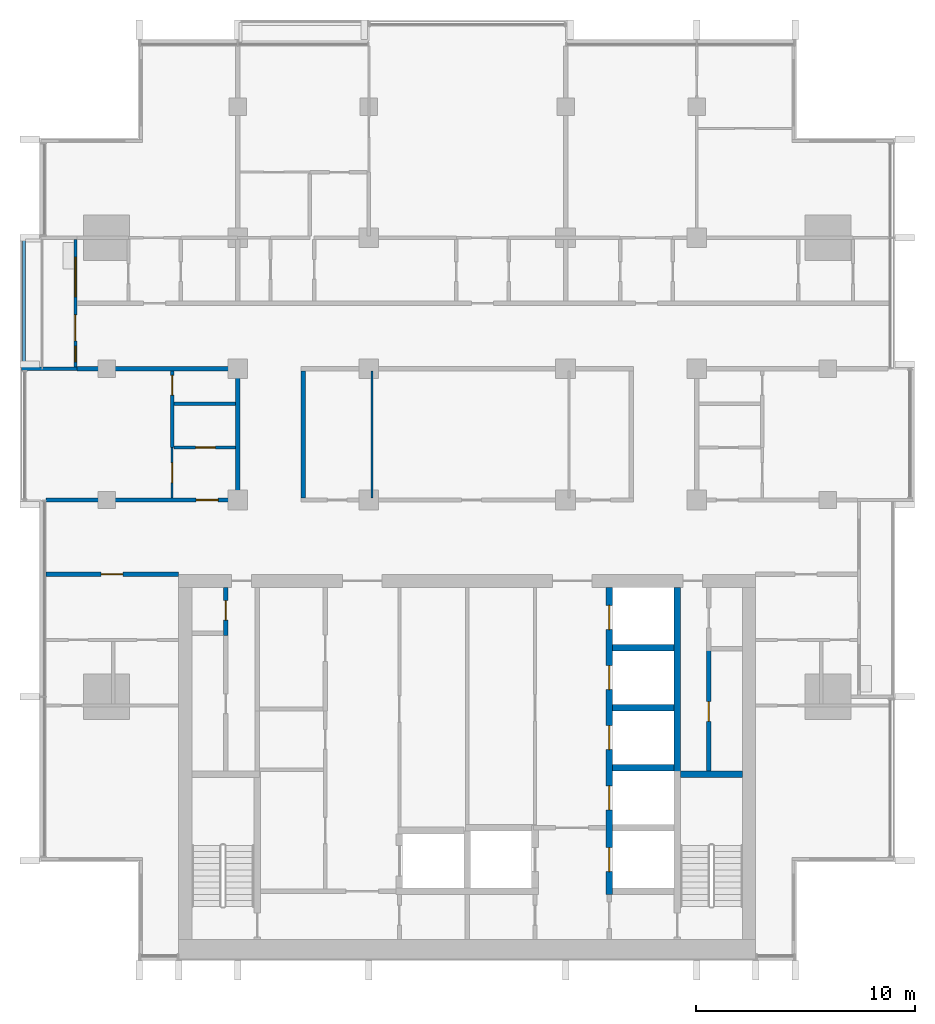
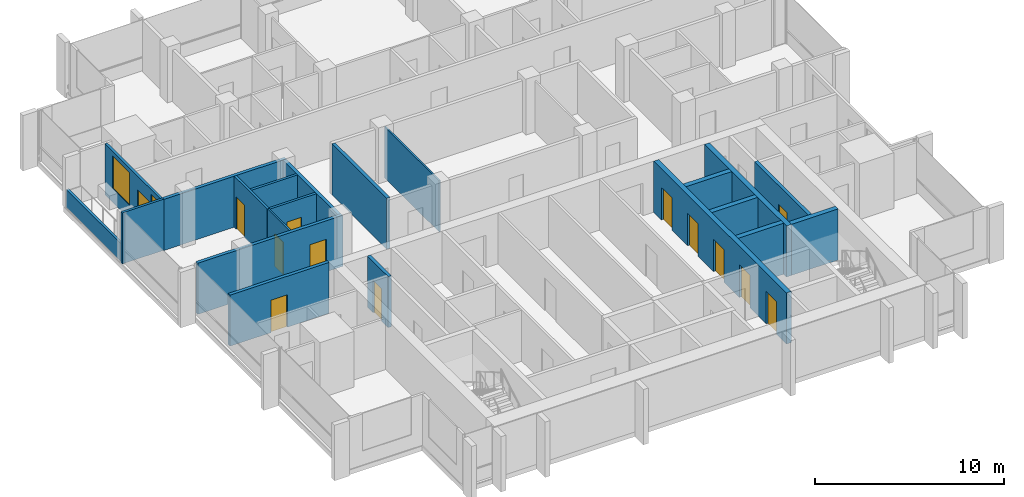
# One storey, part 8 of 16: 21 walls, 13 doors, 2 windows, 15 openings.
"""IFC4 building model written with IfcOpenShell, lengths in metres."""

from ifc_helpers import new_model, si_unit, direction, frame, frame_2d, origin, place, context, subcontext, project, spatial, rectangle, extrude, material, layer, layer_set, type_object, element, fill, save


model = new_model("IFC4")

# Units and contexts
model_context = context("Model", 3, precision=1e-05, world=origin(), true_north=direction((0.0, 1.0)))
body_context = subcontext(model_context, "Body", "Model", "MODEL_VIEW")
ifc_project = project(units=[si_unit("LENGTHUNIT", "METRE"), si_unit("AREAUNIT", "SQUARE_METRE"), si_unit("VOLUMEUNIT", "CUBIC_METRE"), si_unit("PLANEANGLEUNIT", "RADIAN"), si_unit("MASSUNIT", "GRAM", prefix="KILO")], contexts=[model_context])

# Site, building, storey
site_placement = place(None, origin())
site = spatial("IfcSite", under=ifc_project, at=site_placement, CompositionType="ELEMENT")
building_placement = place(site_placement, origin())
building = spatial("IfcBuilding", under=site, at=building_placement, Name="Finial Court Residences", CompositionType="ELEMENT")
storey_placement = place(building_placement, frame((0.0, 0.0, 223.10009765625)))
storey = spatial("IfcBuildingStorey", under=building, at=storey_placement, Name="L56", CompositionType="ELEMENT", Elevation=223.10009765625)

# Wall, opening, door
ifc_material_1 = material(Name="Gypsum board")
ifc_layer_1 = layer(ifc_material_1, 0.02490234375)
ifc_material_2 = material(Name="Acoustic mineral wool in double frame")
ifc_layer_2 = layer(ifc_material_2, 0.14990234375)
ifc_layer_3 = layer(ifc_material_1, 0.02490234375)
ifc_layer_set_1 = layer_set([ifc_layer_1, ifc_layer_2, ifc_layer_3], Name="Corridor wall 200, 1 hour")
wall_type_1 = type_object("IfcWallType", Name="Corridor wall 200, 1 hour", PredefinedType="PARTITIONING", material=ifc_layer_set_1)
wall_1_placement = place(storey_placement, frame((-19.262451171875, -7.89990234375, 0.0), z_axis=(0.0, 0.0, 1.0), x_axis=(1.0, 0.0, 0.0)))
wall_1 = element("IfcWall", 1, at=wall_1_placement, inside=storey, type_object=wall_type_1, Name="Partition L56-004", PredefinedType="PARTITIONING", context=body_context, shape_type="SweptSolid", body=[
    extrude(rectangle(XDim=6.0625, YDim=0.199951171875, at=frame_2d((3.03125, 0.0))), origin(), (0.0, 0.0, 1.0), 3.2998046875),
])
opening_1_placement = place(wall_1_placement, frame((2.511962890625, 0.0, 0.0)))
opening_1 = element("IfcOpeningElement", 2, at=opening_1_placement, cuts=wall_1, Name="Opening L56-D007", PredefinedType="OPENING", context=body_context, shape_type="SweptSolid", body=[
    extrude(rectangle(XDim=1.0, YDim=2.10009765625, at=frame_2d((0.5, 1.050048828125))), frame((0.0, 0.10986328125, 0.0), z_axis=(0.0, -1.0, 0.0), x_axis=(1.0, 0.0, 0.0)), (0.0, 0.0, 1.0), 0.219970703125),
])
ifc_material_3 = material(Name="Timber door leaf in hollow metal frame", Category="wood")
door_type_1 = type_object("IfcDoorType", Name="Fire door set 1000 x 2100, 30 minutes", OperationType="SINGLE_SWING_LEFT", PredefinedType="DOOR", material=ifc_material_3)
door_1_placement = place(opening_1_placement, origin())
door_1 = element("IfcDoor", 3, at=door_1_placement, inside=storey, type_object=door_type_1, Name="Door L56-D007", OperationType="SINGLE_SWING_RIGHT", OverallHeight=2.10009765625, OverallWidth=1.0, PredefinedType="DOOR", context=body_context, shape_type="SweptSolid", body=[
    extrude(rectangle(XDim=1.0, YDim=2.10009765625, at=frame_2d((0.5, 1.050048828125))), frame((0.0, 0.02490234375, 0.0), z_axis=(0.0, -1.0, 0.0), x_axis=(1.0, 0.0, 0.0)), (0.0, 0.0, 1.0), 0.050048828125),
])
fill(opening_1, door_1)

wall_2_placement = place(storey_placement, frame((-19.262451171875, -4.5, 0.0), z_axis=(0.0, 0.0, 1.0), x_axis=(1.0, 0.0, 0.0)))
wall_2 = element("IfcWall", 4, at=wall_2_placement, inside=storey, type_object=wall_type_1, Name="Partition L56-006", PredefinedType="PARTITIONING", context=body_context, shape_type="SweptSolid", body=[
    extrude(rectangle(XDim=8.862548828125, YDim=0.199951171875, at=frame_2d((4.43115234375, 0.0))), origin(), (0.0, 0.0, 1.0), 3.2998046875),
])
opening_2_placement = place(wall_2_placement, frame((6.862060546875, 0.0, 0.0)))
opening_2 = element("IfcOpeningElement", 5, at=opening_2_placement, cuts=wall_2, Name="Opening L56-D009", PredefinedType="OPENING", context=body_context, shape_type="SweptSolid", body=[
    extrude(rectangle(XDim=1.0, YDim=2.10009765625, at=frame_2d((0.5, 1.050048828125))), frame((0.0, 0.10986328125, 0.0), z_axis=(0.0, -1.0, 0.0), x_axis=(1.0, 0.0, 0.0)), (0.0, 0.0, 1.0), 0.219970703125),
])
door_2_placement = place(opening_2_placement, origin())
door_2 = element("IfcDoor", 6, at=door_2_placement, inside=storey, type_object=door_type_1, Name="Door L56-D009", OperationType="SINGLE_SWING_LEFT", OverallHeight=2.10009765625, OverallWidth=1.0, PredefinedType="DOOR", context=body_context, shape_type="SweptSolid", body=[
    extrude(rectangle(XDim=1.0, YDim=2.10009765625, at=frame_2d((0.5, 1.050048828125))), frame((0.0, 0.02490234375, 0.0), z_axis=(0.0, -1.0, 0.0), x_axis=(1.0, 0.0, 0.0)), (0.0, 0.0, 1.0), 0.050048828125),
])
fill(opening_2, door_2)

# Walls
wall_3_placement = place(storey_placement, frame((-17.85009765625, 1.5, 0.0), z_axis=(0.0, 0.0, 1.0), x_axis=(1.0, 0.0, 0.0)))
element("IfcWall", 7, at=wall_3_placement, inside=storey, type_object=wall_type_1, Name="Partition L56-013", PredefinedType="PARTITIONING", context=body_context, shape_type="SweptSolid", body=[
    extrude(rectangle(XDim=7.4501953125, YDim=0.199951171875, at=frame_2d((3.72509765625, 0.0))), origin(), (0.0, 0.0, 1.0), 3.2998046875),
])
for number, where, z_axis, x_axis, name in (
    (8, (-10.5, -4.39990234375, 0.0), (0.0, 0.0, 1.0), (0.0, 1.0, 0.0), "Partition L56-036"),
    (9, (-7.5, -4.39990234375, 0.0), (0.0, 0.0, 1.0), (0.0, 1.0, 0.0), "Partition L56-040"),
):
    element("IfcWall", number, at=place(storey_placement, frame(where, z_axis=z_axis, x_axis=x_axis)), inside=storey, type_object=wall_type_1, Name=name, PredefinedType="PARTITIONING", context=body_context, shape_type="SweptSolid", body=[
        extrude(rectangle(XDim=5.7998046875, YDim=0.199951171875, at=frame_2d((2.89990234375, 0.0))), origin(), (0.0, 0.0, 1.0), 3.2998046875),
    ])

# Wall, opening, door
ifc_layer_4 = layer(ifc_material_1, 0.012451171875)
ifc_material_4 = material(Name="Mineral wool in light-gauge frame")
ifc_layer_5 = layer(ifc_material_4, 0.074951171875)
ifc_layer_6 = layer(ifc_material_1, 0.012451171875)
ifc_layer_set_2 = layer_set([ifc_layer_4, ifc_layer_5, ifc_layer_6], Name="Gypsum board partition 100")
wall_type_2 = type_object("IfcWallType", Name="Gypsum board partition 100", PredefinedType="PARTITIONING", material=ifc_layer_set_2)
wall_4_placement = place(storey_placement, frame((-13.5, -4.39990234375, 0.0), z_axis=(0.0, 0.0, 1.0), x_axis=(0.0, 1.0, 0.0)))
wall_4 = element("IfcWall", 10, at=wall_4_placement, inside=storey, type_object=wall_type_2, Name="Partition L56-033", PredefinedType="PARTITIONING", context=body_context, shape_type="SweptSolid", body=[
    extrude(rectangle(XDim=2.2998046875, YDim=0.10009765625, at=frame_2d((1.14990234375, 0.0))), origin(), (0.0, 0.0, 1.0), 3.2998046875),
])
opening_3_placement = place(wall_4_placement, frame((0.699951171875, 0.0, 0.0)))
opening_3 = element("IfcOpeningElement", 11, at=opening_3_placement, cuts=wall_4, Name="Opening L56-D026", PredefinedType="OPENING", context=body_context, shape_type="SweptSolid", body=[
    extrude(rectangle(XDim=0.89990234375, YDim=2.10009765625, at=frame_2d((0.449951171875, 1.050048828125))), frame((0.0, 0.06005859375, 0.0), z_axis=(0.0, -1.0, 0.0), x_axis=(1.0, 0.0, 0.0)), (0.0, 0.0, 1.0), 0.1201171875),
])
ifc_material_5 = material(Name="Timber door leaf in timber frame", Category="wood")
door_type_2 = type_object("IfcDoorType", Name="Door set 900 x 2100", OperationType="SINGLE_SWING_LEFT", PredefinedType="DOOR", material=ifc_material_5)
door_3_placement = place(opening_3_placement, origin())
door_3 = element("IfcDoor", 12, at=door_3_placement, inside=storey, type_object=door_type_2, Name="Door L56-D026", OperationType="SINGLE_SWING_RIGHT", OverallHeight=2.10009765625, OverallWidth=0.89990234375, PredefinedType="DOOR", context=body_context, shape_type="SweptSolid", body=[
    extrude(rectangle(XDim=0.89990234375, YDim=2.10009765625, at=frame_2d((0.449951171875, 1.050048828125))), frame((0.0, 0.02490234375, 0.0), z_axis=(0.0, -1.0, 0.0), x_axis=(1.0, 0.0, 0.0)), (0.0, 0.0, 1.0), 0.050048828125),
])
fill(opening_3, door_3)

# Wall
wall_5_placement = place(storey_placement, frame((-4.35009765625, -4.39990234375, 0.0), z_axis=(0.0, 0.0, 1.0), x_axis=(0.0, 1.0, 0.0)))
element("IfcWall", 13, at=wall_5_placement, inside=storey, type_object=wall_type_2, Name="Partition L56-045", PredefinedType="PARTITIONING", context=body_context, shape_type="SweptSolid", body=[
    extrude(rectangle(XDim=5.7998046875, YDim=0.10009765625, at=frame_2d((2.89990234375, 0.0))), origin(), (0.0, 0.0, 1.0), 3.2998046875),
])

# Wall, opening, door
ifc_material_6 = material(Name="Moisture-resistant gypsum board")
ifc_layer_7 = layer(ifc_material_6, 0.012451171875)
ifc_layer_8 = layer(ifc_material_4, 0.125)
ifc_layer_9 = layer(ifc_material_6, 0.012451171875)
ifc_layer_set_3 = layer_set([ifc_layer_7, ifc_layer_8, ifc_layer_9], Name="Gypsum board wet-area partition 150")
wall_type_3 = type_object("IfcWallType", Name="Gypsum board wet-area partition 150", PredefinedType="PARTITIONING", material=ifc_layer_set_3)
wall_6_placement = place(storey_placement, frame((-13.425048828125, -2.10009765625, 0.0), z_axis=(0.0, 0.0, 1.0), x_axis=(1.0, 0.0, 0.0)))
wall_6 = element("IfcWall", 14, at=wall_6_placement, inside=storey, type_object=wall_type_3, Name="Partition L56-009", PredefinedType="PARTITIONING", context=body_context, shape_type="SweptSolid", body=[
    extrude(rectangle(XDim=2.824951171875, YDim=0.14990234375, at=frame_2d((1.41259765625, 0.0))), origin(), (0.0, 0.0, 1.0), 3.2998046875),
])
opening_4_placement = place(wall_6_placement, frame((1.0, 0.0, 0.0)))
opening_4 = element("IfcOpeningElement", 15, at=opening_4_placement, cuts=wall_6, Name="Opening L56-D014", PredefinedType="OPENING", context=body_context, shape_type="SweptSolid", body=[
    extrude(rectangle(XDim=0.89990234375, YDim=2.10009765625, at=frame_2d((0.449951171875, 1.050048828125))), frame((0.0, 0.0849609375, 0.0), z_axis=(0.0, -1.0, 0.0), x_axis=(1.0, 0.0, 0.0)), (0.0, 0.0, 1.0), 0.169921875),
])
door_4_placement = place(opening_4_placement, origin())
door_4 = element("IfcDoor", 16, at=door_4_placement, inside=storey, type_object=door_type_2, Name="Door L56-D014", OperationType="SINGLE_SWING_LEFT", OverallHeight=2.10009765625, OverallWidth=0.89990234375, PredefinedType="DOOR", context=body_context, shape_type="SweptSolid", body=[
    extrude(rectangle(XDim=0.89990234375, YDim=2.10009765625, at=frame_2d((0.449951171875, 1.050048828125))), frame((0.0, 0.02490234375, 0.0), z_axis=(0.0, -1.0, 0.0), x_axis=(1.0, 0.0, 0.0)), (0.0, 0.0, 1.0), 0.050048828125),
])
fill(opening_4, door_4)

# Wall
wall_7_placement = place(storey_placement, frame((-13.425048828125, -0.10009765625, 0.0), z_axis=(0.0, 0.0, 1.0), x_axis=(1.0, 0.0, 0.0)))
element("IfcWall", 17, at=wall_7_placement, inside=storey, type_object=wall_type_3, Name="Partition L56-011", PredefinedType="PARTITIONING", context=body_context, shape_type="SweptSolid", body=[
    extrude(rectangle(XDim=2.824951171875, YDim=0.14990234375, at=frame_2d((1.41259765625, 0.0))), origin(), (0.0, 0.0, 1.0), 3.2998046875),
])

# Wall, opening, door
wall_8_placement = place(storey_placement, frame((-13.5, -2.10009765625, 0.0), z_axis=(0.0, 0.0, 1.0), x_axis=(0.0, 1.0, 0.0)))
wall_8 = element("IfcWall", 18, at=wall_8_placement, inside=storey, type_object=wall_type_3, Name="Partition L56-034", PredefinedType="PARTITIONING", context=body_context, shape_type="SweptSolid", body=[
    extrude(rectangle(XDim=3.5, YDim=0.14990234375, at=frame_2d((1.75, 0.0))), origin(), (0.0, 0.0, 1.0), 3.2998046875),
])
opening_5_placement = place(wall_8_placement, frame((2.39990234375, 0.0, 0.0)))
opening_5 = element("IfcOpeningElement", 19, at=opening_5_placement, cuts=wall_8, Name="Opening L56-D027", PredefinedType="OPENING", context=body_context, shape_type="SweptSolid", body=[
    extrude(rectangle(XDim=0.89990234375, YDim=2.10009765625, at=frame_2d((0.449951171875, 1.050048828125))), frame((0.0, 0.0849609375, 0.0), z_axis=(0.0, -1.0, 0.0), x_axis=(1.0, 0.0, 0.0)), (0.0, 0.0, 1.0), 0.169921875),
])
door_5_placement = place(opening_5_placement, origin())
door_5 = element("IfcDoor", 20, at=door_5_placement, inside=storey, type_object=door_type_2, Name="Door L56-D027", OperationType="SINGLE_SWING_RIGHT", OverallHeight=2.10009765625, OverallWidth=0.89990234375, PredefinedType="DOOR", context=body_context, shape_type="SweptSolid", body=[
    extrude(rectangle(XDim=0.89990234375, YDim=2.10009765625, at=frame_2d((0.449951171875, 1.050048828125))), frame((0.0, 0.02490234375, 0.0), z_axis=(0.0, -1.0, 0.0), x_axis=(1.0, 0.0, 0.0)), (0.0, 0.0, 1.0), 0.050048828125),
])
fill(opening_5, door_5)

# Walls
ifc_material_7 = material(Name="Concrete C35/45", Category="concrete")
ifc_layer_10 = layer(ifc_material_7, 0.14990234375)
ifc_layer_set_4 = layer_set([ifc_layer_10], Name="Ledge parapet, Concrete C35/45 150")
wall_type_4 = type_object("IfcWallType", Name="Ledge parapet, Concrete C35/45 150", PredefinedType="PARAPET", material=ifc_layer_set_4)
wall_9_placement = place(storey_placement, frame((-20.27490234375, 1.510009765625, 0.0), z_axis=(0.0, 0.0, 1.0), x_axis=(0.0, 1.0, 0.0)))
element("IfcWall", 21, at=wall_9_placement, inside=storey, type_object=wall_type_4, Name="E-L56-LED1-P1", PredefinedType="PARAPET", context=body_context, shape_type="SweptSolid", body=[
    extrude(rectangle(XDim=5.93994140625, YDim=0.14990234375, at=frame_2d((2.969970703125, 0.0))), origin(), (0.0, 0.0, 1.0), 1.14990234375),
])
ifc_material_8 = material(Name="Concrete C60/75", Category="concrete")
ifc_layer_11 = layer(ifc_material_8, 0.300048828125)
ifc_layer_set_5 = layer_set([ifc_layer_11], Name="Lift shaft and stair wall 300 Concrete C60/75")
wall_type_5 = type_object("IfcWallType", Name="Lift shaft and stair wall 300 Concrete C60/75", PredefinedType="SHEAR", material=ifc_layer_set_5)
wall_10_placement = place(storey_placement, frame((9.75, -17.050048828125, 0.0), z_axis=(0.0, 0.0, 1.0), x_axis=(1.0, 0.0, 0.0)))
element("IfcWall", 22, at=wall_10_placement, inside=storey, type_object=wall_type_5, Name="Core wall L56-09", PredefinedType="SHEAR", context=body_context, shape_type="SweptSolid", body=[
    extrude(rectangle(XDim=2.85009765625, YDim=0.300048828125, at=frame_2d((1.425048828125, 0.0))), origin(), (0.0, 0.0, 1.0), 3.2998046875),
])
for number, where, z_axis, x_axis, name in (
    (23, (6.64990234375, -16.75, 0.0), (0.0, 0.0, 1.0), (1.0, 0.0, 0.0), "Core wall L56-11"),
    (24, (6.64990234375, -14.0, 0.0), (0.0, 0.0, 1.0), (1.0, 0.0, 0.0), "Core wall L56-13"),
    (25, (6.64990234375, -11.25, 0.0), (0.0, 0.0, 1.0), (1.0, 0.0, 0.0), "Core wall L56-15"),
):
    element("IfcWall", number, at=place(storey_placement, frame(where, z_axis=z_axis, x_axis=x_axis)), inside=storey, type_object=wall_type_5, Name=name, PredefinedType="SHEAR", context=body_context, shape_type="SweptSolid", body=[
        extrude(rectangle(XDim=2.800048828125, YDim=0.300048828125, at=frame_2d((1.39990234375, 0.0))), origin(), (0.0, 0.0, 1.0), 3.2998046875),
    ])

# Wall, openings, doors
wall_11_placement = place(storey_placement, frame((6.5, -22.550048828125, 0.0), z_axis=(0.0, 0.0, 1.0), x_axis=(0.0, 1.0, 0.0)))
wall_11 = element("IfcWall", 26, at=wall_11_placement, inside=storey, type_object=wall_type_5, Name="Core wall L56-34", PredefinedType="SHEAR", context=body_context, shape_type="SweptSolid", body=[
    extrude(rectangle(XDim=14.050048828125, YDim=0.300048828125, at=frame_2d((7.02490234375, 0.0))), origin(), (0.0, 0.0, 1.0), 3.2998046875),
])
opening_6_placement = place(wall_11_placement, frame((1.050048828125, 0.0, 0.0)))
opening_6 = element("IfcOpeningElement", 27, at=opening_6_placement, cuts=wall_11, Name="Opening L56-LD02", PredefinedType="OPENING", context=body_context, shape_type="SweptSolid", body=[
    extrude(rectangle(XDim=1.10009765625, YDim=2.10009765625, at=frame_2d((0.550048828125, 1.050048828125))), frame((0.0, 0.159912109375, 0.0), z_axis=(0.0, -1.0, 0.0), x_axis=(1.0, 0.0, 0.0)), (0.0, 0.0, 1.0), 0.320068359375),
])
opening_7_placement = place(wall_11_placement, frame((3.875, 0.0, 0.0)))
opening_7 = element("IfcOpeningElement", 28, at=opening_7_placement, cuts=wall_11, Name="Opening L56-LD03", PredefinedType="OPENING", context=body_context, shape_type="SweptSolid", body=[
    extrude(rectangle(XDim=1.10009765625, YDim=2.10009765625, at=frame_2d((0.550048828125, 1.050048828125))), frame((0.0, 0.159912109375, 0.0), z_axis=(0.0, -1.0, 0.0), x_axis=(1.0, 0.0, 0.0)), (0.0, 0.0, 1.0), 0.320068359375),
])
opening_8_placement = place(wall_11_placement, frame((6.625, 0.0, 0.0)))
opening_8 = element("IfcOpeningElement", 29, at=opening_8_placement, cuts=wall_11, Name="Opening L56-LD04", PredefinedType="OPENING", context=body_context, shape_type="SweptSolid", body=[
    extrude(rectangle(XDim=1.10009765625, YDim=2.10009765625, at=frame_2d((0.550048828125, 1.050048828125))), frame((0.0, 0.159912109375, 0.0), z_axis=(0.0, -1.0, 0.0), x_axis=(1.0, 0.0, 0.0)), (0.0, 0.0, 1.0), 0.320068359375),
])
opening_9_placement = place(wall_11_placement, frame((9.375, 0.0, 0.0)))
opening_9 = element("IfcOpeningElement", 30, at=opening_9_placement, cuts=wall_11, Name="Opening L56-LD05", PredefinedType="OPENING", context=body_context, shape_type="SweptSolid", body=[
    extrude(rectangle(XDim=1.10009765625, YDim=2.10009765625, at=frame_2d((0.550048828125, 1.050048828125))), frame((0.0, 0.159912109375, 0.0), z_axis=(0.0, -1.0, 0.0), x_axis=(1.0, 0.0, 0.0)), (0.0, 0.0, 1.0), 0.320068359375),
])
opening_10_placement = place(wall_11_placement, frame((12.125, 0.0, 0.0)))
opening_10 = element("IfcOpeningElement", 31, at=opening_10_placement, cuts=wall_11, Name="Opening L56-LD06", PredefinedType="OPENING", context=body_context, shape_type="SweptSolid", body=[
    extrude(rectangle(XDim=1.10009765625, YDim=2.10009765625, at=frame_2d((0.550048828125, 1.050048828125))), frame((0.0, 0.159912109375, 0.0), z_axis=(0.0, -1.0, 0.0), x_axis=(1.0, 0.0, 0.0)), (0.0, 0.0, 1.0), 0.320068359375),
])
ifc_material_9 = material(Name="Stainless steel lift door", Category="steel")
door_type_3 = type_object("IfcDoorType", Name="Lift landing door 1100 x 2100 EI 90", OperationType="DOUBLE_DOOR_SLIDING", PredefinedType="DOOR", material=ifc_material_9)
door_6_placement = place(opening_6_placement, origin())
door_6 = element("IfcDoor", 32, at=door_6_placement, inside=storey, type_object=door_type_3, Name="Lift landing door FF2 L56", OperationType="DOUBLE_DOOR_SLIDING", OverallHeight=2.10009765625, OverallWidth=1.10009765625, PredefinedType="DOOR", context=body_context, shape_type="SweptSolid", body=[
    extrude(rectangle(XDim=1.10009765625, YDim=2.10009765625, at=frame_2d((0.550048828125, 1.050048828125))), frame((0.0, 0.02490234375, 0.0), z_axis=(0.0, -1.0, 0.0), x_axis=(1.0, 0.0, 0.0)), (0.0, 0.0, 1.0), 0.050048828125),
])
fill(opening_6, door_6)
door_7_placement = place(opening_7_placement, origin())
door_7 = element("IfcDoor", 33, at=door_7_placement, inside=storey, type_object=door_type_3, Name="Lift landing door HR5 L56", OperationType="DOUBLE_DOOR_SLIDING", OverallHeight=2.10009765625, OverallWidth=1.10009765625, PredefinedType="DOOR", context=body_context, shape_type="SweptSolid", body=[
    extrude(rectangle(XDim=1.10009765625, YDim=2.10009765625, at=frame_2d((0.550048828125, 1.050048828125))), frame((0.0, 0.02490234375, 0.0), z_axis=(0.0, -1.0, 0.0), x_axis=(1.0, 0.0, 0.0)), (0.0, 0.0, 1.0), 0.050048828125),
])
fill(opening_7, door_7)
door_8_placement = place(opening_8_placement, origin())
door_8 = element("IfcDoor", 34, at=door_8_placement, inside=storey, type_object=door_type_3, Name="Lift landing door HR6 L56", OperationType="DOUBLE_DOOR_SLIDING", OverallHeight=2.10009765625, OverallWidth=1.10009765625, PredefinedType="DOOR", context=body_context, shape_type="SweptSolid", body=[
    extrude(rectangle(XDim=1.10009765625, YDim=2.10009765625, at=frame_2d((0.550048828125, 1.050048828125))), frame((0.0, 0.02490234375, 0.0), z_axis=(0.0, -1.0, 0.0), x_axis=(1.0, 0.0, 0.0)), (0.0, 0.0, 1.0), 0.050048828125),
])
fill(opening_8, door_8)
door_9_placement = place(opening_9_placement, origin())
door_9 = element("IfcDoor", 35, at=door_9_placement, inside=storey, type_object=door_type_3, Name="Lift landing door HR7 L56", OperationType="DOUBLE_DOOR_SLIDING", OverallHeight=2.10009765625, OverallWidth=1.10009765625, PredefinedType="DOOR", context=body_context, shape_type="SweptSolid", body=[
    extrude(rectangle(XDim=1.10009765625, YDim=2.10009765625, at=frame_2d((0.550048828125, 1.050048828125))), frame((0.0, 0.02490234375, 0.0), z_axis=(0.0, -1.0, 0.0), x_axis=(1.0, 0.0, 0.0)), (0.0, 0.0, 1.0), 0.050048828125),
])
fill(opening_9, door_9)
door_10_placement = place(opening_10_placement, origin())
door_10 = element("IfcDoor", 36, at=door_10_placement, inside=storey, type_object=door_type_3, Name="Lift landing door HR8 L56", OperationType="DOUBLE_DOOR_SLIDING", OverallHeight=2.10009765625, OverallWidth=1.10009765625, PredefinedType="DOOR", context=body_context, shape_type="SweptSolid", body=[
    extrude(rectangle(XDim=1.10009765625, YDim=2.10009765625, at=frame_2d((0.550048828125, 1.050048828125))), frame((0.0, 0.02490234375, 0.0), z_axis=(0.0, -1.0, 0.0), x_axis=(1.0, 0.0, 0.0)), (0.0, 0.0, 1.0), 0.050048828125),
])
fill(opening_10, door_10)

# Walls
wall_12_placement = place(storey_placement, frame((9.60009765625, -17.199951171875, 0.0), z_axis=(0.0, 0.0, 1.0), x_axis=(0.0, 1.0, 0.0)))
element("IfcWall", 37, at=wall_12_placement, inside=storey, type_object=wall_type_5, Name="Core wall L56-36", PredefinedType="SHEAR", context=body_context, shape_type="SweptSolid", body=[
    extrude(rectangle(XDim=8.699951171875, YDim=0.300048828125, at=frame_2d((4.35009765625, 0.0))), origin(), (0.0, 0.0, 1.0), 3.2998046875),
])
ifc_material_10 = material(Name="Natural limestone", Category="masonry")
ifc_layer_12 = layer(ifc_material_10, 0.14990234375)
ifc_layer_set_6 = layer_set([ifc_layer_12], Name="Limestone clad wall 150")
wall_type_6 = type_object("IfcWallType", Name="Limestone clad wall 150", PredefinedType="SOLIDWALL", material=ifc_layer_set_6)
wall_13_placement = place(storey_placement, frame((-17.85009765625, 1.5, 0.0), z_axis=(0.0, 0.0, 1.0), x_axis=(-1.0, 0.0, 0.0)))
element("IfcWall", 38, at=wall_13_placement, inside=storey, type_object=wall_type_6, Name="E-L56-BALW4-P1", PredefinedType="SOLIDWALL", context=body_context, shape_type="SweptSolid", body=[
    extrude(rectangle(XDim=2.5498046875, YDim=0.14990234375, at=frame_2d((1.27490234375, 0.0))), origin(), (0.0, 0.0, 1.0), 3.2998046875),
])

# Wall, openings, door, windows
wall_14_placement = place(storey_placement, frame((-17.925048828125, 1.574951171875, 0.0), z_axis=(0.0, 0.0, 1.0), x_axis=(0.0, 1.0, 0.0)))
wall_14 = element("IfcWall", 39, at=wall_14_placement, inside=storey, type_object=wall_type_6, Name="E-L56-L56-BALW4-W", PredefinedType="SOLIDWALL", context=body_context, shape_type="SweptSolid", body=[
    extrude(rectangle(XDim=5.85009765625, YDim=0.14990234375, at=frame_2d((2.925048828125, 0.0))), origin(), (0.0, 0.0, 1.0), 3.2998046875),
])
opening_11_placement = place(wall_14_placement, frame((1.199951171875, 0.0, 0.0)))
opening_11 = element("IfcOpeningElement", 40, at=opening_11_placement, cuts=wall_14, Name="Opening DE56-02", PredefinedType="OPENING", context=body_context, shape_type="SweptSolid", body=[
    extrude(rectangle(XDim=1.199951171875, YDim=2.39990234375, at=frame_2d((0.60009765625, 1.199951171875))), frame((0.0, 0.0849609375, 0.0), z_axis=(0.0, -1.0, 0.0), x_axis=(1.0, 0.0, 0.0)), (0.0, 0.0, 1.0), 0.169921875),
])
opening_12_placement = place(wall_14_placement, frame((0.25, 0.0, 0.89990234375)))
opening_12 = element("IfcOpeningElement", 41, at=opening_12_placement, cuts=wall_14, Name="Opening WE56-11", PredefinedType="OPENING", context=body_context, shape_type="SweptSolid", body=[
    extrude(rectangle(XDim=0.699951171875, YDim=2.10009765625, at=frame_2d((0.35009765625, 1.050048828125))), frame((0.0, 0.0849609375, 0.0), z_axis=(0.0, -1.0, 0.0), x_axis=(1.0, 0.0, 0.0)), (0.0, 0.0, 1.0), 0.169921875),
])
opening_13_placement = place(wall_14_placement, frame((3.22509765625, 0.0, 0.89990234375)))
opening_13 = element("IfcOpeningElement", 42, at=opening_13_placement, cuts=wall_14, Name="Opening WE56-12", PredefinedType="OPENING", context=body_context, shape_type="SweptSolid", body=[
    extrude(rectangle(XDim=1.800048828125, YDim=2.10009765625, at=frame_2d((0.89990234375, 1.050048828125))), frame((0.0, 0.0849609375, 0.0), z_axis=(0.0, -1.0, 0.0), x_axis=(1.0, 0.0, 0.0)), (0.0, 0.0, 1.0), 0.169921875),
])
ifc_material_11 = material(Name="Bronze anodised aluminium", Category="aluminium")
door_type_4 = type_object("IfcDoorType", Name="Balcony door 1200 x 2400", OperationType="SINGLE_SWING_LEFT", PredefinedType="DOOR", material=ifc_material_11)
door_11_placement = place(opening_11_placement, origin())
door_11 = element("IfcDoor", 43, at=door_11_placement, inside=storey, type_object=door_type_4, Name="E-L56-L56-BALW4-W-D", OperationType="SINGLE_SWING_RIGHT", OverallHeight=2.39990234375, OverallWidth=1.199951171875, PredefinedType="DOOR", context=body_context, shape_type="SweptSolid", body=[
    extrude(rectangle(XDim=1.199951171875, YDim=2.39990234375, at=frame_2d((0.60009765625, 1.199951171875))), frame((0.0, 0.02490234375, 0.0), z_axis=(0.0, -1.0, 0.0), x_axis=(1.0, 0.0, 0.0)), (0.0, 0.0, 1.0), 0.050048828125),
])
fill(opening_11, door_11)
ifc_material_12 = material(Name="Clear low-e glass", Category="glass")
window_type_1 = type_object("IfcWindowType", Name="Balcony window 1800 x 2100", PartitioningType="SINGLE_PANEL", PredefinedType="WINDOW", material=ifc_material_12)
window_1_placement = place(opening_13_placement, origin())
window_1 = element("IfcWindow", 44, at=window_1_placement, inside=storey, type_object=window_type_1, Name="E-L56-L56-BALW4-W-W2", OverallHeight=2.10009765625, OverallWidth=1.800048828125, PartitioningType="SINGLE_PANEL", PredefinedType="WINDOW", context=body_context, shape_type="SweptSolid", body=[
    extrude(rectangle(XDim=1.800048828125, YDim=2.10009765625, at=frame_2d((0.89990234375, 1.050048828125))), frame((0.0, 0.030029296875, 0.0), z_axis=(0.0, -1.0, 0.0), x_axis=(1.0, 0.0, 0.0)), (0.0, 0.0, 1.0), 0.06005859375),
])
fill(opening_13, window_1)
window_type_2 = type_object("IfcWindowType", Name="Balcony window 700 x 2100", PartitioningType="SINGLE_PANEL", PredefinedType="WINDOW", material=ifc_material_12)
window_2_placement = place(opening_12_placement, origin())
window_2 = element("IfcWindow", 45, at=window_2_placement, inside=storey, type_object=window_type_2, Name="E-L56-L56-BALW4-W-W1", OverallHeight=2.10009765625, OverallWidth=0.699951171875, PartitioningType="SINGLE_PANEL", PredefinedType="WINDOW", context=body_context, shape_type="SweptSolid", body=[
    extrude(rectangle(XDim=0.699951171875, YDim=2.10009765625, at=frame_2d((0.35009765625, 1.050048828125))), frame((0.0, 0.030029296875, 0.0), z_axis=(0.0, -1.0, 0.0), x_axis=(1.0, 0.0, 0.0)), (0.0, 0.0, 1.0), 0.06005859375),
])
fill(opening_12, window_2)

# Wall, opening, door
ifc_material_13 = material(Name="Fire-rated gypsum board partition")
ifc_layer_13 = layer(ifc_material_13, 0.199951171875)
ifc_layer_set_7 = layer_set([ifc_layer_13], Name="Riser room wall 200 EI 120")
wall_type_7 = type_object("IfcWallType", Name="Riser room wall 200 EI 120", PredefinedType="PARTITIONING", material=ifc_layer_set_7)
wall_15_placement = place(storey_placement, frame((-11.050048828125, -10.699951171875, 0.0), z_axis=(0.0, 0.0, 1.0), x_axis=(0.0, 1.0, 0.0)))
wall_15 = element("IfcWall", 46, at=wall_15_placement, inside=storey, type_object=wall_type_7, Name="Core partition L56-18", PredefinedType="PARTITIONING", context=body_context, shape_type="SweptSolid", body=[
    extrude(rectangle(XDim=2.199951171875, YDim=0.199951171875, at=frame_2d((1.10009765625, 0.0))), origin(), (0.0, 0.0, 1.0), 3.2998046875),
])
opening_14_placement = place(wall_15_placement, frame((0.699951171875, 0.0, 0.0)))
opening_14 = element("IfcOpeningElement", 47, at=opening_14_placement, cuts=wall_15, Name="Opening L56-C07", PredefinedType="OPENING", context=body_context, shape_type="SweptSolid", body=[
    extrude(rectangle(XDim=0.89990234375, YDim=2.10009765625, at=frame_2d((0.449951171875, 1.050048828125))), frame((0.0, 0.10986328125, 0.0), z_axis=(0.0, -1.0, 0.0), x_axis=(1.0, 0.0, 0.0)), (0.0, 0.0, 1.0), 0.219970703125),
])
ifc_material_14 = material(Name="Steel fire door", Category="steel")
door_type_5 = type_object("IfcDoorType", Name="Riser room door 900 x 2100 EI 90", OperationType="NOTDEFINED", PredefinedType="DOOR", material=ifc_material_14)
door_12_placement = place(opening_14_placement, origin())
door_12 = element("IfcDoor", 48, at=door_12_placement, inside=storey, type_object=door_type_5, Name="Riser room door L56-C07", OperationType="SINGLE_SWING_LEFT", OverallHeight=2.10009765625, OverallWidth=0.89990234375, PredefinedType="DOOR", context=body_context, shape_type="SweptSolid", body=[
    extrude(rectangle(XDim=0.89990234375, YDim=2.10009765625, at=frame_2d((0.449951171875, 1.050048828125))), frame((0.0, 0.02490234375, 0.0), z_axis=(0.0, -1.0, 0.0), x_axis=(1.0, 0.0, 0.0)), (0.0, 0.0, 1.0), 0.050048828125),
])
fill(opening_14, door_12)

ifc_layer_14 = layer(ifc_material_13, 0.199951171875)
ifc_layer_set_8 = layer_set([ifc_layer_14], Name="Stair passage wall 200 EI 180")
wall_type_8 = type_object("IfcWallType", Name="Stair passage wall 200 EI 180", PredefinedType="PARTITIONING", material=ifc_layer_set_8)
wall_16_placement = place(storey_placement, frame((11.050048828125, -11.199951171875, 0.0), z_axis=(0.0, 0.0, 1.0), x_axis=(0.0, -1.0, 0.0)))
wall_16 = element("IfcWall", 49, at=wall_16_placement, inside=storey, type_object=wall_type_8, Name="Core partition L56-37", PredefinedType="PARTITIONING", context=body_context, shape_type="SweptSolid", body=[
    extrude(rectangle(XDim=5.699951171875, YDim=0.199951171875, at=frame_2d((2.85009765625, 0.0))), origin(), (0.0, 0.0, 1.0), 3.2998046875),
])
opening_15_placement = place(wall_16_placement, frame((2.52490234375, 0.0, 0.0)))
opening_15 = element("IfcOpeningElement", 50, at=opening_15_placement, cuts=wall_16, Name="Opening L56-C14", PredefinedType="OPENING", context=body_context, shape_type="SweptSolid", body=[
    extrude(rectangle(XDim=0.89990234375, YDim=2.10009765625, at=frame_2d((0.449951171875, 1.050048828125))), frame((0.0, 0.10986328125, 0.0), z_axis=(0.0, -1.0, 0.0), x_axis=(1.0, 0.0, 0.0)), (0.0, 0.0, 1.0), 0.219970703125),
])
door_type_6 = type_object("IfcDoorType", Name="Core room door 900 x 2100 EI 60", OperationType="NOTDEFINED", PredefinedType="DOOR", material=ifc_material_14)
door_13_placement = place(opening_15_placement, origin())
door_13 = element("IfcDoor", 51, at=door_13_placement, inside=storey, type_object=door_type_6, Name="Core room door L56-C14", OperationType="SINGLE_SWING_RIGHT", OverallHeight=2.10009765625, OverallWidth=0.89990234375, PredefinedType="DOOR", context=body_context, shape_type="SweptSolid", body=[
    extrude(rectangle(XDim=0.89990234375, YDim=2.10009765625, at=frame_2d((0.449951171875, 1.050048828125))), frame((0.0, 0.02490234375, 0.0), z_axis=(0.0, -1.0, 0.0), x_axis=(1.0, 0.0, 0.0)), (0.0, 0.0, 1.0), 0.050048828125),
])
fill(opening_15, door_13)

save(model, "model.ifc")
